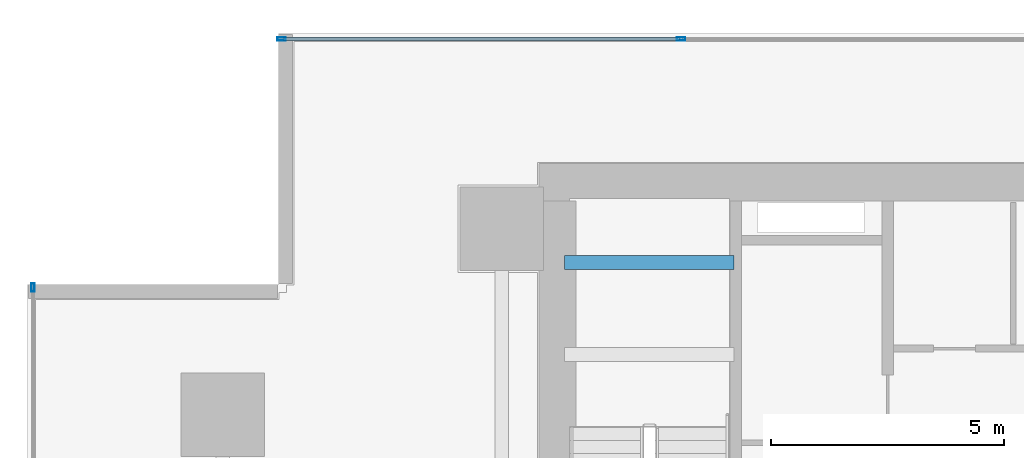
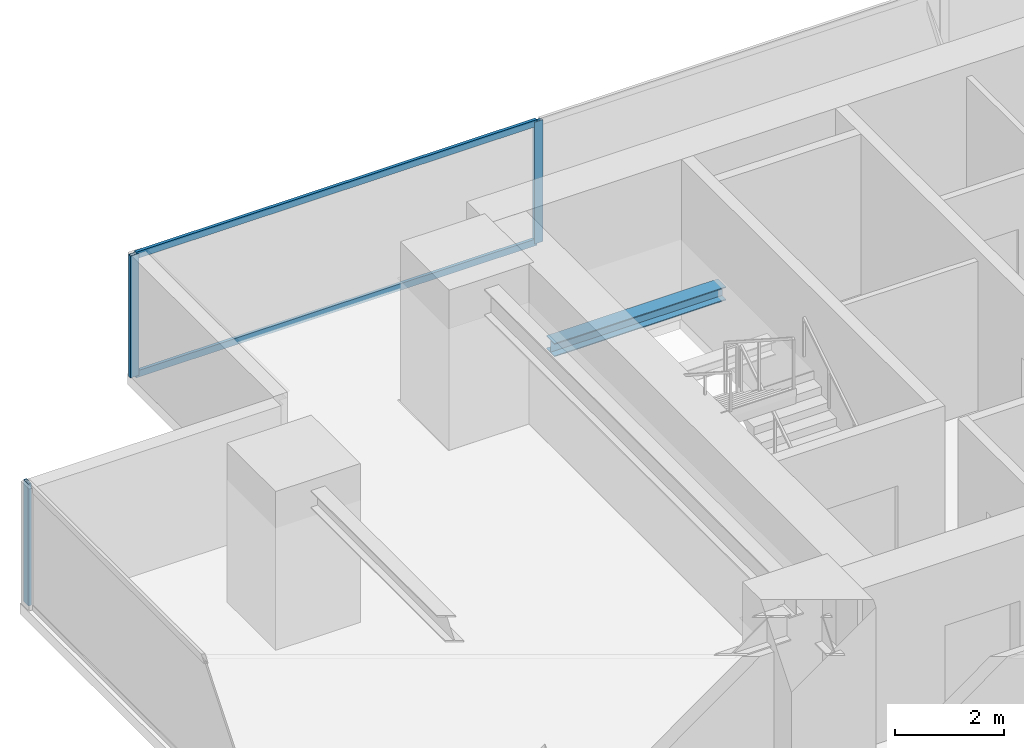
# One storey, part 18 of 33: 5 members, 1 beam, 2 elements without a shape of their own.
"""IFC4 building model written with IfcOpenShell, lengths in metres."""

from ifc_helpers import new_model, si_unit, direction, frame, origin, origin_2d, place, context, subcontext, project, spatial, hollow_rectangle, i_section, extrude, source, transform, mapped, material, layer, layer_set, material_profile, profile_set, type_object, element, aggregate, save


model = new_model("IFC4")

# Units and contexts
model_context = context("Model", 3, precision=1e-05, world=origin(), true_north=direction((0.0, 1.0)))
body_context = subcontext(model_context, "Body", "Model", "MODEL_VIEW")
ifc_project = project(units=[si_unit("LENGTHUNIT", "METRE"), si_unit("AREAUNIT", "SQUARE_METRE"), si_unit("VOLUMEUNIT", "CUBIC_METRE"), si_unit("PLANEANGLEUNIT", "RADIAN"), si_unit("MASSUNIT", "GRAM", prefix="KILO")], contexts=[model_context])

# Site, building, storey
site_placement = place(None, origin())
site = spatial("IfcSite", under=ifc_project, at=site_placement, CompositionType="ELEMENT")
building_placement = place(site_placement, origin())
building = spatial("IfcBuilding", under=site, at=building_placement, Name="Sumidabori Civic Tower", CompositionType="ELEMENT")
storey_placement = place(building_placement, frame((0.0, 0.0, 59.60009765625)))
storey = spatial("IfcBuildingStorey", under=building, at=storey_placement, Name="L15", CompositionType="ELEMENT", Elevation=59.60009765625)

# Beam
ifc_material_1 = material(Name="Steel SN490", Category="steel")
ifc_material_profile_1 = material_profile(ifc_material_1, i_section(OverallWidth=0.300048828125, OverallDepth=0.300048828125, WebThickness=0.010986328125, FlangeThickness=0.01904296875, at=origin_2d()), Name="HE 300 B")
ifc_profile_set_1 = profile_set([ifc_material_profile_1], Name="Steel SN490")
beam_type = type_object("IfcBeamType", Name="BM-LDG-300", PredefinedType="BEAM", material=ifc_profile_set_1)
shared_shape_1 = source(origin(), body_context, "Body", "SweptSolid", [
    extrude(i_section(OverallWidth=0.300048828125, OverallDepth=0.300048828125, WebThickness=0.010986328125, FlangeThickness=0.01904296875, at=origin_2d()), origin(), (0.0, 0.0, 1.0), 3.64990234375),
])
beam_placement = place(storey_placement, frame((-15.449951171875, 22.069580078125, 1.449951171875), z_axis=(1.0, 0.0, 0.0), x_axis=(0.0, 1.0, 0.0)))
element("IfcBeam", 1, at=beam_placement, inside=storey, type_object=beam_type, Name="Stair ST-1 Landing Trimmer Beam L15-1B", PredefinedType="BEAM", context=body_context, shape_type="MappedRepresentation", body=[
    mapped(shared_shape_1, transform((0.0, 0.0, 0.0), x_axis=(1.0, 0.0, 0.0), y_axis=(0.0, 1.0, 0.0), z_axis=(0.0, 0.0, 1.0), scale=1.0)),
])

# Curtain wall, members
ifc_material_2 = material(Name="Anodised Bronze Aluminium AW-6063-T6", Category="aluminium")
ifc_layer = layer(ifc_material_2, 0.179931640625, Name="Anodised Bronze Aluminium AW-6063-T6")
ifc_layer_set = layer_set([ifc_layer], Name="Anodised Bronze Aluminium AW-6063-T6")
curtain_wall_type = type_object("IfcCurtainWallType", Name="CW-SYS-2", PredefinedType="NOTDEFINED", material=ifc_layer_set)
curtain_wall_1_placement = place(storey_placement, origin())
curtain_wall_1 = element("IfcCurtainWall", 2, at=curtain_wall_1_placement, inside=storey, type_object=curtain_wall_type, Name="Curtain Wall CW:L15:R07", PredefinedType="NOTDEFINED")
ifc_material_profile_2 = material_profile(ifc_material_2, hollow_rectangle(XDim=0.070068359375, YDim=0.179931640625, WallThickness=0.006103515625, at=origin_2d()), Name="ALU MULLION 180x70")
ifc_profile_set_2 = profile_set([ifc_material_profile_2], Name="Anodised Bronze Aluminium AW-6063-T6")
member_type_1 = type_object("IfcMemberType", Name="CW-MUL-180", PredefinedType="MULLION", material=ifc_profile_set_2)
shared_shape_2 = source(origin(), body_context, "Body", "SweptSolid", [
    extrude(hollow_rectangle(XDim=0.070068359375, YDim=0.179931640625, WallThickness=0.006103515625, at=origin_2d()), origin(), (0.0, 0.0, 1.0), 2.739990234375),
])
member_1_placement = place(storey_placement, frame((-12.94189453125, 26.8798828125, 0.0), z_axis=(0.0, 0.0, 1.0), x_axis=(0.0, -1.0, 0.0)))
member_1 = element("IfcMember", 3, at=member_1_placement, type_object=member_type_1, Name="CW-2 mullion 5", PredefinedType="MULLION", context=body_context, shape_type="MappedRepresentation", body=[
    mapped(shared_shape_2, transform((0.0, 0.0, 0.0), x_axis=(1.0, 0.0, 0.0), y_axis=(0.0, 1.0, 0.0), z_axis=(0.0, 0.0, 1.0), scale=1.0)),
])
member_2_placement = place(storey_placement, frame((-21.534912109375, 26.8798828125, 0.0), z_axis=(0.0, 0.0, 1.0), x_axis=(0.0, -1.0, 0.0)))
member_2 = element("IfcMember", 4, at=member_2_placement, type_object=member_type_1, Name="CW-2 mullion 6", PredefinedType="MULLION", context=body_context, shape_type="MappedRepresentation", body=[
    mapped(shared_shape_2, transform((0.0, 0.0, 0.0), x_axis=(1.0, 0.0, 0.0), y_axis=(0.0, 1.0, 0.0), z_axis=(0.0, 0.0, 1.0), scale=1.0)),
])

# Curtain wall, member
curtain_wall_2_placement = place(storey_placement, origin())
curtain_wall_2 = element("IfcCurtainWall", 5, at=curtain_wall_2_placement, inside=storey, type_object=curtain_wall_type, Name="Curtain Wall CW:L15:R10", PredefinedType="NOTDEFINED")
member_3_placement = place(storey_placement, frame((-26.8798828125, 21.534912109375, 0.0), z_axis=(0.0, 0.0, 1.0), x_axis=(1.0, 0.0, 0.0)))
member_3 = element("IfcMember", 6, at=member_3_placement, type_object=member_type_1, Name="CW-2 mullion 1", PredefinedType="MULLION", context=body_context, shape_type="MappedRepresentation", body=[
    mapped(shared_shape_2, transform((0.0, 0.0, 0.0), x_axis=(1.0, 0.0, 0.0), y_axis=(0.0, 1.0, 0.0), z_axis=(0.0, 0.0, 1.0), scale=1.0)),
])
aggregate(curtain_wall_2, [member_3])

# Member
ifc_material_profile_3 = material_profile(ifc_material_2, hollow_rectangle(XDim=0.06494140625, YDim=0.14990234375, WallThickness=0.0048828125, at=origin_2d()), Name="ALU TRANSOM 150x65")
ifc_profile_set_3 = profile_set([ifc_material_profile_3], Name="Anodised Bronze Aluminium AW-6063-T6")
member_type_2 = type_object("IfcMemberType", Name="CW-TRN-150", PredefinedType="USERDEFINED", material=ifc_profile_set_3)
shared_shape_3 = source(origin(), body_context, "Body", "SweptSolid", [
    extrude(hollow_rectangle(XDim=0.06494140625, YDim=0.14990234375, WallThickness=0.0048828125, at=origin_2d()), origin(), (0.0, 0.0, 1.0), 8.52294921875),
])
member_4_placement = place(storey_placement, frame((-12.97705078125, 26.8798828125, 0.032470703125), z_axis=(-1.0, 0.0, 0.0), x_axis=(0.0, -1.0, 0.0)))
member_4 = element("IfcMember", 7, at=member_4_placement, type_object=member_type_2, Name="CW-2 transom 5.1", ObjectType="TRANSOM", PredefinedType="USERDEFINED", context=body_context, shape_type="MappedRepresentation", body=[
    mapped(shared_shape_3, transform((0.0, 0.0, 0.0), x_axis=(1.0, 0.0, 0.0), y_axis=(0.0, 1.0, 0.0), z_axis=(0.0, 0.0, 1.0), scale=1.0)),
])

member_5_placement = place(storey_placement, frame((-12.97705078125, 26.8798828125, 2.70751953125), z_axis=(-1.0, 0.0, 0.0), x_axis=(0.0, -1.0, 0.0)))
member_5 = element("IfcMember", 8, at=member_5_placement, type_object=member_type_2, Name="CW-2 transom 5.2", ObjectType="TRANSOM", PredefinedType="USERDEFINED", context=body_context, shape_type="MappedRepresentation", body=[
    mapped(shared_shape_3, transform((0.0, 0.0, 0.0), x_axis=(1.0, 0.0, 0.0), y_axis=(0.0, 1.0, 0.0), z_axis=(0.0, 0.0, 1.0), scale=1.0)),
])

aggregate(curtain_wall_1, [member_1, member_2, member_4, member_5])

save(model, "model.ifc")
